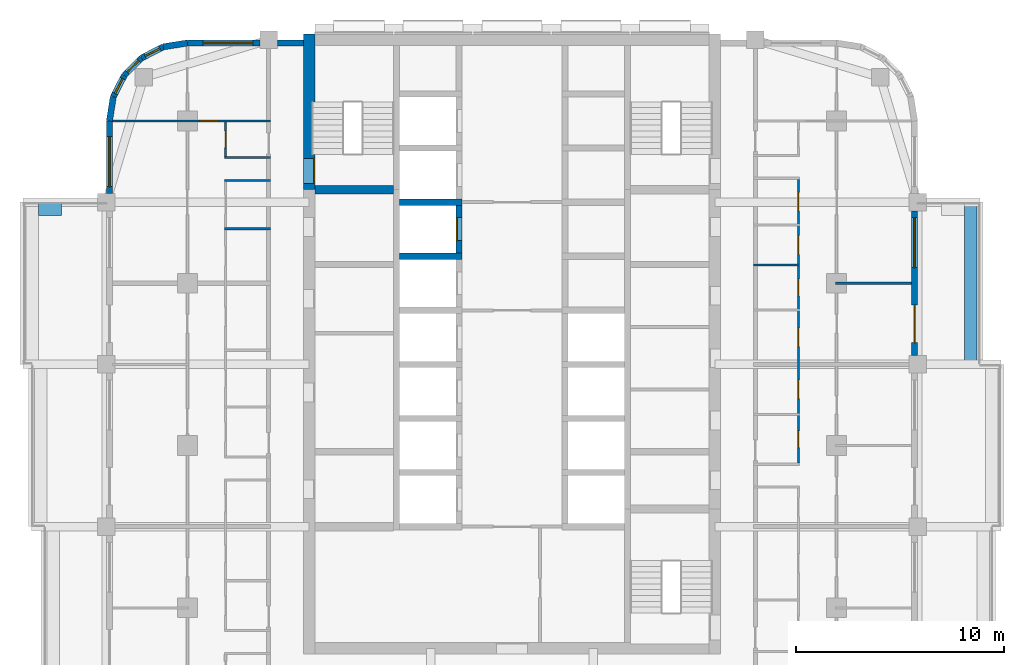
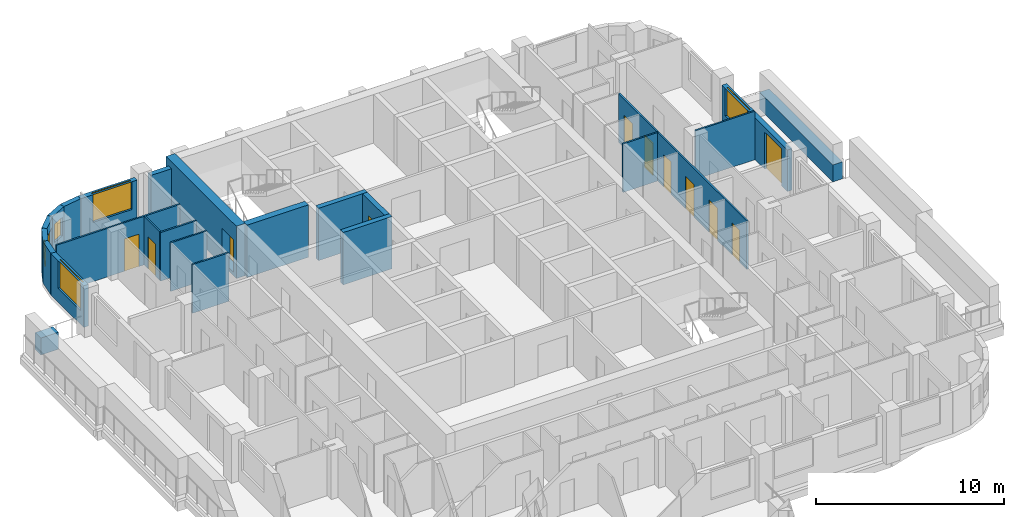
# One storey, part 8 of 13: 24 walls, 11 doors, 6 windows, 17 openings.
"""IFC4 building model written with IfcOpenShell, lengths in metres."""

from ifc_helpers import new_model, si_unit, direction, frame, frame_2d, origin, place, context, subcontext, project, spatial, rectangle, extrude, material, layer, layer_set, type_object, element, fill, save


model = new_model("IFC4")

# Units and contexts
model_context = context("Model", 3, precision=1e-05, world=origin(), true_north=direction((0.0, 1.0)))
body_context = subcontext(model_context, "Body", "Model", "MODEL_VIEW")
ifc_project = project(units=[si_unit("LENGTHUNIT", "METRE"), si_unit("AREAUNIT", "SQUARE_METRE"), si_unit("VOLUMEUNIT", "CUBIC_METRE"), si_unit("PLANEANGLEUNIT", "RADIAN"), si_unit("MASSUNIT", "GRAM", prefix="KILO")], contexts=[model_context])

# Site, building, storey
site_placement = place(None, origin())
site = spatial("IfcSite", under=ifc_project, at=site_placement, CompositionType="ELEMENT")
building_placement = place(site_placement, origin())
building = spatial("IfcBuilding", under=site, at=building_placement, Name="Ludao Terraces", CompositionType="ELEMENT")
storey_placement = place(building_placement, frame((0.0, 0.0, 130.5)))
storey = spatial("IfcBuildingStorey", under=building, at=storey_placement, Name="L35", CompositionType="ELEMENT", Elevation=130.5)

# Wall, opening, door
ifc_material_1 = material(Name="Concrete C60", Category="concrete")
ifc_layer_1 = layer(ifc_material_1, 0.550048828125)
ifc_layer_set_1 = layer_set([ifc_layer_1], Name="Core wall 550 C60")
wall_type_1 = type_object("IfcWallType", Name="Core wall 550 C60", PredefinedType="SOLIDWALL", material=ifc_layer_set_1)
wall_1_placement = place(storey_placement, frame((75.25, 77.300048828125, -0.25), z_axis=(0.0, 0.0, 1.0), x_axis=(0.0, 1.0, 0.0)))
wall_1 = element("IfcWall", 1, at=wall_1_placement, inside=storey, type_object=wall_type_1, Name="Core wall L35 outer-W-S1", PredefinedType="SOLIDWALL", context=body_context, shape_type="SweptSolid", body=[
    extrude(rectangle(XDim=7.474853515625, YDim=0.550048828125, at=frame_2d((3.7373046875, 0.0))), origin(), (0.0, 0.0, 1.0), 3.39990234375),
])
opening_1_placement = place(wall_1_placement, frame((0.300048828125, 0.0, 0.25)))
opening_1 = element("IfcOpeningElement", 2, at=opening_1_placement, cuts=wall_1, Name="Opening R11-082", PredefinedType="OPENING", context=body_context, shape_type="SweptSolid", body=[
    extrude(rectangle(XDim=1.199951171875, YDim=2.10009765625, at=frame_2d((0.60009765625, 1.050048828125))), frame((0.0, 0.28515625, 0.0), z_axis=(0.0, -1.0, 0.0), x_axis=(1.0, 0.0, 0.0)), (0.0, 0.0, 1.0), 0.570068359375),
])
ifc_material_2 = material(Name="Steel Q235", Category="steel")
door_type_1 = type_object("IfcDoorType", Name="INT Stair door 1200", OperationType="DOUBLE_DOOR_SINGLE_SWING", PredefinedType="DOOR", material=ifc_material_2)
door_1_placement = place(opening_1_placement, origin())
door_1 = element("IfcDoor", 3, at=door_1_placement, inside=storey, type_object=door_type_1, Name="DOOR 082", OperationType="DOUBLE_DOOR_SINGLE_SWING", OverallHeight=2.10009765625, OverallWidth=1.199951171875, PredefinedType="DOOR", context=body_context, shape_type="SweptSolid", body=[
    extrude(rectangle(XDim=1.199951171875, YDim=2.10009765625, at=frame_2d((0.60009765625, 1.050048828125))), frame((0.0, -0.2099609375, 0.0), z_axis=(0.0, -1.0, 0.0), x_axis=(1.0, 0.0, 0.0)), (0.0, 0.0, 1.0), 0.050048828125),
])
fill(opening_1, door_1)

# Walls
ifc_material_3 = material(Name="Concrete C40", Category="concrete")
ifc_layer_2 = layer(ifc_material_3, 0.60009765625)
ifc_layer_set_2 = layer_set([ifc_layer_2], Name="ENV Planter trough 600")
wall_type_2 = type_object("IfcWallType", Name="ENV Planter trough 600", PredefinedType="USERDEFINED", material=ifc_layer_set_2)
wall_2_placement = place(storey_placement, frame((107.050048828125, 68.89990234375, 0.0), z_axis=(0.0, 0.0, 1.0), x_axis=(0.0, 1.0, 0.0)))
element("IfcWall", 4, at=wall_2_placement, inside=storey, type_object=wall_type_2, Name="PL-L35-E3", ObjectType="PLANTER", PredefinedType="USERDEFINED", context=body_context, shape_type="SweptSolid", body=[
    extrude(rectangle(XDim=7.800048828125, YDim=0.60009765625, at=frame_2d((3.89990234375, 0.0))), origin(), (0.0, 0.0, 1.0), 1.10009765625),
])
wall_3_placement = place(storey_placement, frame((62.25, 76.35009765625, 0.0), z_axis=(0.0, 0.0, 1.0), x_axis=(1.0, 0.0, 0.0)))
element("IfcWall", 5, at=wall_3_placement, inside=storey, type_object=wall_type_2, Name="PL-L35-W3-SB", ObjectType="PLANTER", PredefinedType="USERDEFINED", context=body_context, shape_type="SweptSolid", body=[
    extrude(rectangle(XDim=1.10009765625, YDim=0.60009765625, at=frame_2d((0.550048828125, 0.0))), origin(), (0.0, 0.0, 1.0), 1.10009765625),
])

# Wall, openings, door, window
ifc_material_4 = material(Name="Granite cladding", Category="masonry")
ifc_layer_3 = layer(ifc_material_4, 0.0400390625, Category="stone")
ifc_material_5 = material(Name="Mineral wool")
ifc_layer_4 = layer(ifc_material_5, 0.06005859375)
ifc_layer_5 = layer(ifc_material_3, 0.199951171875, Category="concrete")
ifc_layer_set_3 = layer_set([ifc_layer_3, ifc_layer_4, ifc_layer_5], Name="ENV Stone-clad wall 300")
wall_type_3 = type_object("IfcWallType", Name="ENV Stone-clad wall 300", PredefinedType="SOLIDWALL", material=ifc_layer_set_3)
wall_4_placement = place(storey_placement, frame((104.35009765625, 69.324951171875, 0.0), z_axis=(0.0, 0.0, 1.0), x_axis=(0.0, 1.0, 0.0)))
wall_4 = element("IfcWall", 6, at=wall_4_placement, inside=storey, type_object=wall_type_3, Name="EW-L35-E4", PredefinedType="SOLIDWALL", context=body_context, shape_type="SweptSolid", body=[
    extrude(rectangle(XDim=6.949951171875, YDim=0.300048828125, at=frame_2d((3.47509765625, 0.0))), origin(), (0.0, 0.0, 1.0), 2.699951171875),
])
opening_2_placement = place(wall_4_placement, frame((0.625, 0.0, 0.0)))
opening_2 = element("IfcOpeningElement", 7, at=opening_2_placement, cuts=wall_4, Name="Opening BD", PredefinedType="OPENING", context=body_context, shape_type="SweptSolid", body=[
    extrude(rectangle(XDim=1.800048828125, YDim=2.39990234375, at=frame_2d((0.89990234375, 1.199951171875))), frame((0.0, 0.16015625, 0.0), z_axis=(0.0, -1.0, 0.0), x_axis=(1.0, 0.0, 0.0)), (0.0, 0.0, 1.0), 0.320068359375),
])
opening_3_placement = place(wall_4_placement, frame((4.22509765625, 0.0, 0.89990234375)))
opening_3 = element("IfcOpeningElement", 8, at=opening_3_placement, cuts=wall_4, Name="Opening W1", PredefinedType="OPENING", context=body_context, shape_type="SweptSolid", body=[
    extrude(rectangle(XDim=2.39990234375, YDim=1.800048828125, at=frame_2d((1.199951171875, 0.89990234375))), frame((0.0, 0.16015625, 0.0), z_axis=(0.0, -1.0, 0.0), x_axis=(1.0, 0.0, 0.0)), (0.0, 0.0, 1.0), 0.320068359375),
])
ifc_material_6 = material(Name="Aluminium glazed door", Category="aluminium")
ifc_layer_6 = layer(ifc_material_6, 0.06005859375)
ifc_layer_set_4 = layer_set([ifc_layer_6], Name="ENV Balcony door BD 1800x2400")
door_type_2 = type_object("IfcDoorType", Name="ENV Balcony door BD 1800x2400", OperationType="DOUBLE_DOOR_SINGLE_SWING", PredefinedType="DOOR", material=ifc_layer_set_4)
door_2_placement = place(opening_2_placement, origin())
door_2 = element("IfcDoor", 9, at=door_2_placement, inside=storey, type_object=door_type_2, Name="BD-L35-E4-1", OperationType="DOUBLE_DOOR_SINGLE_SWING", OverallHeight=2.39990234375, OverallWidth=1.800048828125, PredefinedType="DOOR", context=body_context, shape_type="SweptSolid", body=[
    extrude(rectangle(XDim=1.800048828125, YDim=2.39990234375, at=frame_2d((0.89990234375, 1.199951171875))), frame((0.0, 0.02490234375, 0.0), z_axis=(0.0, -1.0, 0.0), x_axis=(1.0, 0.0, 0.0)), (0.0, 0.0, 1.0), 0.050048828125),
])
fill(opening_2, door_2)
ifc_material_7 = material(Name="Clear glass in aluminium frame", Category="aluminium")
ifc_layer_7 = layer(ifc_material_7, 0.06005859375)
ifc_layer_set_5 = layer_set([ifc_layer_7], Name="ENV Window W1 2400x1800")
window_type_1 = type_object("IfcWindowType", Name="ENV Window W1 2400x1800", PartitioningType="DOUBLE_PANEL_VERTICAL", PredefinedType="WINDOW", material=ifc_layer_set_5)
window_1_placement = place(opening_3_placement, origin())
window_1 = element("IfcWindow", 10, at=window_1_placement, inside=storey, type_object=window_type_1, Name="W-L35-E4-2", OverallHeight=1.800048828125, OverallWidth=2.39990234375, PartitioningType="DOUBLE_PANEL_VERTICAL", PredefinedType="WINDOW", context=body_context, shape_type="SweptSolid", body=[
    extrude(rectangle(XDim=2.39990234375, YDim=1.800048828125, at=frame_2d((1.199951171875, 0.89990234375))), frame((0.0, 0.030029296875, 0.0), z_axis=(0.0, -1.0, 0.0), x_axis=(1.0, 0.0, 0.0)), (0.0, 0.0, 1.0), 0.06005859375),
])
fill(opening_3, window_1)

# Wall, opening, window
wall_5_placement = place(storey_placement, frame((69.39990234375, 84.35009765625, 0.0), z_axis=(0.0, 0.0, 1.0), x_axis=(1.0, 0.0, 0.0)))
wall_5 = element("IfcWall", 11, at=wall_5_placement, inside=storey, type_object=wall_type_3, Name="EW-L35-N1", PredefinedType="SOLIDWALL", context=body_context, shape_type="SweptSolid", body=[
    extrude(rectangle(XDim=3.47509765625, YDim=0.300048828125, at=frame_2d((1.737548828125, 0.0))), origin(), (0.0, 0.0, 1.0), 2.699951171875),
])
opening_4_placement = place(wall_5_placement, frame((0.75, 0.0, 0.89990234375)))
opening_4 = element("IfcOpeningElement", 12, at=opening_4_placement, cuts=wall_5, Name="Opening W1", PredefinedType="OPENING", context=body_context, shape_type="SweptSolid", body=[
    extrude(rectangle(XDim=2.39990234375, YDim=1.800048828125, at=frame_2d((1.199951171875, 0.89990234375))), frame((0.0, 0.16015625, 0.0), z_axis=(0.0, -1.0, 0.0), x_axis=(1.0, 0.0, 0.0)), (0.0, 0.0, 1.0), 0.320068359375),
])
window_2_placement = place(opening_4_placement, origin())
window_2 = element("IfcWindow", 13, at=window_2_placement, inside=storey, type_object=window_type_1, Name="W-L35-N1-1", OverallHeight=1.800048828125, OverallWidth=2.39990234375, PartitioningType="DOUBLE_PANEL_VERTICAL", PredefinedType="WINDOW", context=body_context, shape_type="SweptSolid", body=[
    extrude(rectangle(XDim=2.39990234375, YDim=1.800048828125, at=frame_2d((1.199951171875, 0.89990234375))), frame((0.0, 0.030029296875, 0.0), z_axis=(0.0, -1.0, 0.0), x_axis=(1.0, 0.0, 0.0)), (0.0, 0.0, 1.0), 0.06005859375),
])
fill(opening_4, window_2)

# Wall
wall_6_placement = place(storey_placement, frame((73.72509765625, 84.35009765625, 0.0), z_axis=(0.0, 0.0, 1.0), x_axis=(1.0, 0.0, 0.0)))
element("IfcWall", 14, at=wall_6_placement, inside=storey, type_object=wall_type_3, Name="EW-L35-N2", PredefinedType="SOLIDWALL", context=body_context, shape_type="SweptSolid", body=[
    extrude(rectangle(XDim=1.25, YDim=0.300048828125, at=frame_2d((0.625, 0.0))), origin(), (0.0, 0.0, 1.0), 2.699951171875),
])

# Wall, opening, window
wall_7_placement = place(storey_placement, frame((65.64990234375, 77.125, 0.0), z_axis=(0.0, 0.0, 1.0), x_axis=(0.0, 1.0, 0.0)))
wall_7 = element("IfcWall", 15, at=wall_7_placement, inside=storey, type_object=wall_type_3, Name="EW-L35-W5", PredefinedType="SOLIDWALL", context=body_context, shape_type="SweptSolid", body=[
    extrude(rectangle(XDim=3.47509765625, YDim=0.300048828125, at=frame_2d((1.737548828125, 0.0))), origin(), (0.0, 0.0, 1.0), 2.699951171875),
])
opening_5_placement = place(wall_7_placement, frame((0.324951171875, 0.0, 0.89990234375)))
opening_5 = element("IfcOpeningElement", 16, at=opening_5_placement, cuts=wall_7, Name="Opening W1", PredefinedType="OPENING", context=body_context, shape_type="SweptSolid", body=[
    extrude(rectangle(XDim=2.39990234375, YDim=1.800048828125, at=frame_2d((1.199951171875, 0.89990234375))), frame((0.0, 0.16015625, 0.0), z_axis=(0.0, -1.0, 0.0), x_axis=(1.0, 0.0, 0.0)), (0.0, 0.0, 1.0), 0.320068359375),
])
window_3_placement = place(opening_5_placement, origin())
window_3 = element("IfcWindow", 17, at=window_3_placement, inside=storey, type_object=window_type_1, Name="W-L35-W5-1", OverallHeight=1.800048828125, OverallWidth=2.39990234375, PartitioningType="DOUBLE_PANEL_VERTICAL", PredefinedType="WINDOW", context=body_context, shape_type="SweptSolid", body=[
    extrude(rectangle(XDim=2.39990234375, YDim=1.800048828125, at=frame_2d((1.199951171875, 0.89990234375))), frame((0.0, 0.030029296875, 0.0), z_axis=(0.0, -1.0, 0.0), x_axis=(1.0, 0.0, 0.0)), (0.0, 0.0, 1.0), 0.06005859375),
])
fill(opening_5, window_3)

# Wall
wall_8_placement = place(storey_placement, frame((69.39990234375, 84.35009765625, 0.0), z_axis=(0.0, 0.0, 1.0), x_axis=(-0.987678452879, -0.156496880861, 0.0)))
element("IfcWall", 18, at=wall_8_placement, inside=storey, type_object=wall_type_3, Name="EW-L35-NW1", PredefinedType="SOLIDWALL", context=body_context, shape_type="SweptSolid", body=[
    extrude(rectangle(XDim=1.173095703125, YDim=0.300048828125, at=frame_2d((0.58642578125, 0.0))), origin(), (0.0, 0.0, 1.0), 2.699951171875),
])

# Wall, opening, window
wall_9_placement = place(storey_placement, frame((68.2412109375, 84.16650390625, 0.0), z_axis=(0.0, 0.0, 1.0), x_axis=(-0.890988677504, -0.454025524128, 0.0)))
wall_9 = element("IfcWall", 19, at=wall_9_placement, inside=storey, type_object=wall_type_3, Name="EW-L35-NW2", PredefinedType="SOLIDWALL", context=body_context, shape_type="SweptSolid", body=[
    extrude(rectangle(XDim=1.17333984375, YDim=0.300048828125, at=frame_2d((0.586669921875, 0.0))), origin(), (0.0, 0.0, 1.0), 2.699951171875),
])
opening_6_placement = place(wall_9_placement, frame((0.1865234375, 0.0, 0.89990234375)))
opening_6 = element("IfcOpeningElement", 20, at=opening_6_placement, cuts=wall_9, Name="Opening W3", PredefinedType="OPENING", context=body_context, shape_type="SweptSolid", body=[
    extrude(rectangle(XDim=0.800048828125, YDim=1.199951171875, at=frame_2d((0.39990234375, 0.60009765625))), frame((0.0, 0.16015625, 0.0), z_axis=(0.0, -1.0, 0.0), x_axis=(1.0, 0.0, 0.0)), (0.0, 0.0, 1.0), 0.320068359375),
])
ifc_layer_8 = layer(ifc_material_7, 0.06005859375)
ifc_layer_set_6 = layer_set([ifc_layer_8], Name="ENV Window W3 800x1200")
window_type_2 = type_object("IfcWindowType", Name="ENV Window W3 800x1200", PartitioningType="SINGLE_PANEL", PredefinedType="WINDOW", material=ifc_layer_set_6)
window_4_placement = place(opening_6_placement, origin())
window_4 = element("IfcWindow", 21, at=window_4_placement, inside=storey, type_object=window_type_2, Name="W-L35-NW2", OverallHeight=1.199951171875, OverallWidth=0.800048828125, PartitioningType="SINGLE_PANEL", PredefinedType="WINDOW", context=body_context, shape_type="SweptSolid", body=[
    extrude(rectangle(XDim=0.800048828125, YDim=1.199951171875, at=frame_2d((0.39990234375, 0.60009765625))), frame((0.0, 0.030029296875, 0.0), z_axis=(0.0, -1.0, 0.0), x_axis=(1.0, 0.0, 0.0)), (0.0, 0.0, 1.0), 0.06005859375),
])
fill(opening_6, window_4)

wall_10_placement = place(storey_placement, frame((67.19580078125, 83.6337890625, 0.0), z_axis=(0.0, 0.0, 1.0), x_axis=(-0.707106781187, -0.707106781187, 0.0)))
wall_10 = element("IfcWall", 22, at=wall_10_placement, inside=storey, type_object=wall_type_3, Name="EW-L35-NW3", PredefinedType="SOLIDWALL", context=body_context, shape_type="SweptSolid", body=[
    extrude(rectangle(XDim=1.173095703125, YDim=0.300048828125, at=frame_2d((0.58642578125, 0.0))), origin(), (0.0, 0.0, 1.0), 2.699951171875),
])
opening_7_placement = place(wall_10_placement, frame((0.1865234375, 0.0, 0.89990234375)))
opening_7 = element("IfcOpeningElement", 23, at=opening_7_placement, cuts=wall_10, Name="Opening W3", PredefinedType="OPENING", context=body_context, shape_type="SweptSolid", body=[
    extrude(rectangle(XDim=0.800048828125, YDim=1.199951171875, at=frame_2d((0.39990234375, 0.60009765625))), frame((0.0, 0.16015625, 0.0), z_axis=(0.0, -1.0, 0.0), x_axis=(1.0, 0.0, 0.0)), (0.0, 0.0, 1.0), 0.320068359375),
])
window_5_placement = place(opening_7_placement, origin())
window_5 = element("IfcWindow", 24, at=window_5_placement, inside=storey, type_object=window_type_2, Name="W-L35-NW3", OverallHeight=1.199951171875, OverallWidth=0.800048828125, PartitioningType="SINGLE_PANEL", PredefinedType="WINDOW", context=body_context, shape_type="SweptSolid", body=[
    extrude(rectangle(XDim=0.800048828125, YDim=1.199951171875, at=frame_2d((0.39990234375, 0.60009765625))), frame((0.0, 0.030029296875, 0.0), z_axis=(0.0, -1.0, 0.0), x_axis=(1.0, 0.0, 0.0)), (0.0, 0.0, 1.0), 0.06005859375),
])
fill(opening_7, window_5)

wall_11_placement = place(storey_placement, frame((66.3662109375, 82.80419921875, 0.0), z_axis=(0.0, 0.0, 1.0), x_axis=(-0.454025524128, -0.890988677504, 0.0)))
wall_11 = element("IfcWall", 25, at=wall_11_placement, inside=storey, type_object=wall_type_3, Name="EW-L35-NW4", PredefinedType="SOLIDWALL", context=body_context, shape_type="SweptSolid", body=[
    extrude(rectangle(XDim=1.17333984375, YDim=0.300048828125, at=frame_2d((0.586669921875, 0.0))), origin(), (0.0, 0.0, 1.0), 2.699951171875),
])
opening_8_placement = place(wall_11_placement, frame((0.1865234375, 0.0, 0.89990234375)))
opening_8 = element("IfcOpeningElement", 26, at=opening_8_placement, cuts=wall_11, Name="Opening W3", PredefinedType="OPENING", context=body_context, shape_type="SweptSolid", body=[
    extrude(rectangle(XDim=0.800048828125, YDim=1.199951171875, at=frame_2d((0.39990234375, 0.60009765625))), frame((0.0, 0.16015625, 0.0), z_axis=(0.0, -1.0, 0.0), x_axis=(1.0, 0.0, 0.0)), (0.0, 0.0, 1.0), 0.320068359375),
])
window_6_placement = place(opening_8_placement, origin())
window_6 = element("IfcWindow", 27, at=window_6_placement, inside=storey, type_object=window_type_2, Name="W-L35-NW4", OverallHeight=1.199951171875, OverallWidth=0.800048828125, PartitioningType="SINGLE_PANEL", PredefinedType="WINDOW", context=body_context, shape_type="SweptSolid", body=[
    extrude(rectangle(XDim=0.800048828125, YDim=1.199951171875, at=frame_2d((0.39990234375, 0.60009765625))), frame((0.0, 0.030029296875, 0.0), z_axis=(0.0, -1.0, 0.0), x_axis=(1.0, 0.0, 0.0)), (0.0, 0.0, 1.0), 0.06005859375),
])
fill(opening_8, window_6)

# Walls
wall_12_placement = place(storey_placement, frame((65.83349609375, 81.7587890625, 0.0), z_axis=(0.0, 0.0, 1.0), x_axis=(-0.156496880861, -0.987678452879, 0.0)))
element("IfcWall", 28, at=wall_12_placement, inside=storey, type_object=wall_type_3, Name="EW-L35-NW5", PredefinedType="SOLIDWALL", context=body_context, shape_type="SweptSolid", body=[
    extrude(rectangle(XDim=1.173095703125, YDim=0.300048828125, at=frame_2d((0.58642578125, 0.0))), origin(), (0.0, 0.0, 1.0), 2.699951171875),
])
ifc_material_8 = material(Name="Gypsum plasterboard", Category="gypsum")
ifc_layer_9 = layer(ifc_material_8, 0.012451171875, Category="gypsum")
ifc_layer_10 = layer(ifc_material_5, 0.06005859375, Name="insulation")
ifc_layer_11 = layer(ifc_material_2, 0.014892578125, Name="stud")
ifc_layer_12 = layer(ifc_material_8, 0.012451171875, Category="gypsum")
ifc_layer_set_7 = layer_set([ifc_layer_9, ifc_layer_10, ifc_layer_11, ifc_layer_12], Name="INT Partition 100")
wall_type_4 = type_object("IfcWallType", Name="INT Partition 100", PredefinedType="PARTITIONING", material=ifc_layer_set_7)
wall_13_placement = place(storey_placement, frame((100.550048828125, 72.800048828125, 0.0), z_axis=(0.0, 0.0, 1.0), x_axis=(1.0, 0.0, 0.0)))
element("IfcWall", 29, at=wall_13_placement, inside=storey, type_object=wall_type_4, Name="PW-L35-PW036", PredefinedType="PARTITIONING", context=body_context, shape_type="SweptSolid", body=[
    extrude(rectangle(XDim=3.650146484375, YDim=0.10009765625, at=frame_2d((1.8251953125, 0.0))), origin(), (0.0, 0.0, 1.0), 3.14990234375),
])
for number, where, z_axis, x_axis, name in (
    (30, (96.60009765625, 73.669921875, 0.0), (0.0, 0.0, 1.0), (1.0, 0.0, 0.0), "PW-L35-PW037"),
    (31, (71.18017578125, 75.419921875, 0.0), (0.0, 0.0, 1.0), (1.0, 0.0, 0.0), "PW-L35-PW038"),
    (32, (71.18017578125, 77.75, 0.0), (0.0, 0.0, 1.0), (1.0, 0.0, 0.0), "PW-L35-PW041"),
    (33, (71.18017578125, 78.85009765625, 0.0), (0.0, 0.0, 1.0), (1.0, 0.0, 0.0), "PW-L35-PW043"),
):
    element("IfcWall", number, at=place(storey_placement, frame(where, z_axis=z_axis, x_axis=x_axis)), inside=storey, type_object=wall_type_4, Name=name, PredefinedType="PARTITIONING", context=body_context, shape_type="SweptSolid", body=[
        extrude(rectangle(XDim=2.219970703125, YDim=0.10009765625, at=frame_2d((1.10986328125, 0.0))), origin(), (0.0, 0.0, 1.0), 3.14990234375),
    ])

# Wall, opening, door
wall_14_placement = place(storey_placement, frame((65.800048828125, 80.60009765625, 0.0), z_axis=(0.0, 0.0, 1.0), x_axis=(1.0, 0.0, 0.0)))
wall_14 = element("IfcWall", 34, at=wall_14_placement, inside=storey, type_object=wall_type_4, Name="PW-L35-PW045", PredefinedType="PARTITIONING", context=body_context, shape_type="SweptSolid", body=[
    extrude(rectangle(XDim=7.60009765625, YDim=0.10009765625, at=frame_2d((3.800048828125, 0.0))), origin(), (0.0, 0.0, 1.0), 3.14990234375),
])
opening_9_placement = place(wall_14_placement, frame((4.18994140625, 0.0, 0.0)))
opening_9 = element("IfcOpeningElement", 35, at=opening_9_placement, cuts=wall_14, Name="Opening R11-088", PredefinedType="OPENING", context=body_context, shape_type="SweptSolid", body=[
    extrude(rectangle(XDim=0.89990234375, YDim=2.10009765625, at=frame_2d((0.449951171875, 1.050048828125))), frame((0.0, 0.06005859375, 0.0), z_axis=(0.0, -1.0, 0.0), x_axis=(1.0, 0.0, 0.0)), (0.0, 0.0, 1.0), 0.1201171875),
])
ifc_material_9 = material(Name="Timber door leaf", Category="wood")
door_type_3 = type_object("IfcDoorType", Name="INT Room door 900", OperationType="SINGLE_SWING_LEFT", PredefinedType="DOOR", material=ifc_material_9)
door_3_placement = place(opening_9_placement, origin())
door_3 = element("IfcDoor", 36, at=door_3_placement, inside=storey, type_object=door_type_3, Name="DOOR 088", OperationType="SINGLE_SWING_LEFT", OverallHeight=2.10009765625, OverallWidth=0.89990234375, PredefinedType="DOOR", context=body_context, shape_type="SweptSolid", body=[
    extrude(rectangle(XDim=0.89990234375, YDim=2.10009765625, at=frame_2d((0.449951171875, 1.050048828125))), frame((0.0, 0.02490234375, 0.0), z_axis=(0.0, -1.0, 0.0), x_axis=(1.0, 0.0, 0.0)), (0.0, 0.0, 1.0), 0.050048828125),
])
fill(opening_9, door_3)

wall_15_placement = place(storey_placement, frame((71.22998046875, 78.900146484375, 0.0), z_axis=(0.0, 0.0, 1.0), x_axis=(0.0, 1.0, 0.0)))
wall_15 = element("IfcWall", 37, at=wall_15_placement, inside=storey, type_object=wall_type_4, Name="PW-L35-PW051", PredefinedType="PARTITIONING", context=body_context, shape_type="SweptSolid", body=[
    extrude(rectangle(XDim=1.64990234375, YDim=0.10009765625, at=frame_2d((0.824951171875, 0.0))), origin(), (0.0, 0.0, 1.0), 3.14990234375),
])
opening_10_placement = place(wall_15_placement, frame((0.425048828125, 0.0, 0.0)))
opening_10 = element("IfcOpeningElement", 38, at=opening_10_placement, cuts=wall_15, Name="Opening R11-086", PredefinedType="OPENING", context=body_context, shape_type="SweptSolid", body=[
    extrude(rectangle(XDim=0.800048828125, YDim=2.10009765625, at=frame_2d((0.39990234375, 1.050048828125))), frame((0.0, 0.06005859375, 0.0), z_axis=(0.0, -1.0, 0.0), x_axis=(1.0, 0.0, 0.0)), (0.0, 0.0, 1.0), 0.1201171875),
])
door_type_4 = type_object("IfcDoorType", Name="INT Store door 800", OperationType="SINGLE_SWING_LEFT", PredefinedType="DOOR", material=ifc_material_9)
door_4_placement = place(opening_10_placement, origin())
door_4 = element("IfcDoor", 39, at=door_4_placement, inside=storey, type_object=door_type_4, Name="DOOR 086", OperationType="SINGLE_SWING_LEFT", OverallHeight=2.10009765625, OverallWidth=0.800048828125, PredefinedType="DOOR", context=body_context, shape_type="SweptSolid", body=[
    extrude(rectangle(XDim=0.800048828125, YDim=2.10009765625, at=frame_2d((0.39990234375, 1.050048828125))), frame((0.0, 0.02490234375, 0.0), z_axis=(0.0, -1.0, 0.0), x_axis=(1.0, 0.0, 0.0)), (0.0, 0.0, 1.0), 0.050048828125),
])
fill(opening_10, door_4)

# Wall, openings, doors
wall_16_placement = place(storey_placement, frame((98.77001953125, 64.150146484375, 0.0), z_axis=(0.0, 0.0, 1.0), x_axis=(0.0, 1.0, 0.0)))
wall_16 = element("IfcWall", 40, at=wall_16_placement, inside=storey, type_object=wall_type_4, Name="PW-L35-PW073", PredefinedType="PARTITIONING", context=body_context, shape_type="SweptSolid", body=[
    extrude(rectangle(XDim=13.64990234375, YDim=0.10009765625, at=frame_2d((6.824951171875, 0.0))), origin(), (0.0, 0.0, 1.0), 3.14990234375),
])
opening_11_placement = place(wall_16_placement, frame((0.75, 0.0, 0.0)))
opening_11 = element("IfcOpeningElement", 41, at=opening_11_placement, cuts=wall_16, Name="Opening R11-051", PredefinedType="OPENING", context=body_context, shape_type="SweptSolid", body=[
    extrude(rectangle(XDim=0.800048828125, YDim=2.10009765625, at=frame_2d((0.39990234375, 1.050048828125))), frame((0.0, 0.06005859375, 0.0), z_axis=(0.0, -1.0, 0.0), x_axis=(1.0, 0.0, 0.0)), (0.0, 0.0, 1.0), 0.1201171875),
])
opening_12_placement = place(wall_16_placement, frame((3.10009765625, 0.0, 0.0)))
opening_12 = element("IfcOpeningElement", 42, at=opening_12_placement, cuts=wall_16, Name="Opening R11-058", PredefinedType="OPENING", context=body_context, shape_type="SweptSolid", body=[
    extrude(rectangle(XDim=0.89990234375, YDim=2.10009765625, at=frame_2d((0.449951171875, 1.050048828125))), frame((0.0, 0.06005859375, 0.0), z_axis=(0.0, -1.0, 0.0), x_axis=(1.0, 0.0, 0.0)), (0.0, 0.0, 1.0), 0.1201171875),
])
opening_13_placement = place(wall_16_placement, frame((5.610107421875, 0.0, 0.0)))
opening_13 = element("IfcOpeningElement", 43, at=opening_13_placement, cuts=wall_16, Name="Opening R11-062", PredefinedType="OPENING", context=body_context, shape_type="SweptSolid", body=[
    extrude(rectangle(XDim=0.89990234375, YDim=2.10009765625, at=frame_2d((0.449951171875, 1.050048828125))), frame((0.0, 0.06005859375, 0.0), z_axis=(0.0, -1.0, 0.0), x_axis=(1.0, 0.0, 0.0)), (0.0, 0.0, 1.0), 0.1201171875),
])
opening_14_placement = place(wall_16_placement, frame((8.044921875, 0.0, 0.0)))
opening_14 = element("IfcOpeningElement", 44, at=opening_14_placement, cuts=wall_16, Name="Opening R11-069", PredefinedType="OPENING", context=body_context, shape_type="SweptSolid", body=[
    extrude(rectangle(XDim=0.800048828125, YDim=2.10009765625, at=frame_2d((0.39990234375, 1.050048828125))), frame((0.0, 0.06005859375, 0.0), z_axis=(0.0, -1.0, 0.0), x_axis=(1.0, 0.0, 0.0)), (0.0, 0.0, 1.0), 0.1201171875),
])
opening_15_placement = place(wall_16_placement, frame((10.034912109375, 0.0, 0.0)))
opening_15 = element("IfcOpeningElement", 45, at=opening_15_placement, cuts=wall_16, Name="Opening R11-072", PredefinedType="OPENING", context=body_context, shape_type="SweptSolid", body=[
    extrude(rectangle(XDim=0.89990234375, YDim=2.10009765625, at=frame_2d((0.449951171875, 1.050048828125))), frame((0.0, 0.06005859375, 0.0), z_axis=(0.0, -1.0, 0.0), x_axis=(1.0, 0.0, 0.0)), (0.0, 0.0, 1.0), 0.1201171875),
])
opening_16_placement = place(wall_16_placement, frame((12.125, 0.0, 0.0)))
opening_16 = element("IfcOpeningElement", 46, at=opening_16_placement, cuts=wall_16, Name="Opening R11-080", PredefinedType="OPENING", context=body_context, shape_type="SweptSolid", body=[
    extrude(rectangle(XDim=0.89990234375, YDim=2.10009765625, at=frame_2d((0.449951171875, 1.050048828125))), frame((0.0, 0.06005859375, 0.0), z_axis=(0.0, -1.0, 0.0), x_axis=(1.0, 0.0, 0.0)), (0.0, 0.0, 1.0), 0.1201171875),
])
door_type_5 = type_object("IfcDoorType", Name="INT Bathroom door 900", OperationType="SINGLE_SWING_LEFT", PredefinedType="DOOR", material=ifc_material_9)
door_5_placement = place(opening_12_placement, origin())
door_5 = element("IfcDoor", 47, at=door_5_placement, inside=storey, type_object=door_type_5, Name="DOOR 058", OperationType="SINGLE_SWING_RIGHT", OverallHeight=2.10009765625, OverallWidth=0.89990234375, PredefinedType="DOOR", context=body_context, shape_type="SweptSolid", body=[
    extrude(rectangle(XDim=0.89990234375, YDim=2.10009765625, at=frame_2d((0.449951171875, 1.050048828125))), frame((0.0, 0.02490234375, 0.0), z_axis=(0.0, -1.0, 0.0), x_axis=(1.0, 0.0, 0.0)), (0.0, 0.0, 1.0), 0.050048828125),
])
fill(opening_12, door_5)
door_6_placement = place(opening_15_placement, origin())
door_6 = element("IfcDoor", 48, at=door_6_placement, inside=storey, type_object=door_type_5, Name="DOOR 072", OperationType="SINGLE_SWING_LEFT", OverallHeight=2.10009765625, OverallWidth=0.89990234375, PredefinedType="DOOR", context=body_context, shape_type="SweptSolid", body=[
    extrude(rectangle(XDim=0.89990234375, YDim=2.10009765625, at=frame_2d((0.449951171875, 1.050048828125))), frame((0.0, 0.02490234375, 0.0), z_axis=(0.0, -1.0, 0.0), x_axis=(1.0, 0.0, 0.0)), (0.0, 0.0, 1.0), 0.050048828125),
])
fill(opening_15, door_6)
door_7_placement = place(opening_16_placement, origin())
door_7 = element("IfcDoor", 49, at=door_7_placement, inside=storey, type_object=door_type_5, Name="DOOR 080", OperationType="SINGLE_SWING_LEFT", OverallHeight=2.10009765625, OverallWidth=0.89990234375, PredefinedType="DOOR", context=body_context, shape_type="SweptSolid", body=[
    extrude(rectangle(XDim=0.89990234375, YDim=2.10009765625, at=frame_2d((0.449951171875, 1.050048828125))), frame((0.0, 0.02490234375, 0.0), z_axis=(0.0, -1.0, 0.0), x_axis=(1.0, 0.0, 0.0)), (0.0, 0.0, 1.0), 0.050048828125),
])
fill(opening_16, door_7)
door_8_placement = place(opening_13_placement, origin())
door_8 = element("IfcDoor", 50, at=door_8_placement, inside=storey, type_object=door_type_3, Name="DOOR 062", OperationType="SINGLE_SWING_LEFT", OverallHeight=2.10009765625, OverallWidth=0.89990234375, PredefinedType="DOOR", context=body_context, shape_type="SweptSolid", body=[
    extrude(rectangle(XDim=0.89990234375, YDim=2.10009765625, at=frame_2d((0.449951171875, 1.050048828125))), frame((0.0, 0.02490234375, 0.0), z_axis=(0.0, -1.0, 0.0), x_axis=(1.0, 0.0, 0.0)), (0.0, 0.0, 1.0), 0.050048828125),
])
fill(opening_13, door_8)
door_9_placement = place(opening_11_placement, origin())
door_9 = element("IfcDoor", 51, at=door_9_placement, inside=storey, type_object=door_type_4, Name="DOOR 051", OperationType="SINGLE_SWING_LEFT", OverallHeight=2.10009765625, OverallWidth=0.800048828125, PredefinedType="DOOR", context=body_context, shape_type="SweptSolid", body=[
    extrude(rectangle(XDim=0.800048828125, YDim=2.10009765625, at=frame_2d((0.39990234375, 1.050048828125))), frame((0.0, 0.02490234375, 0.0), z_axis=(0.0, -1.0, 0.0), x_axis=(1.0, 0.0, 0.0)), (0.0, 0.0, 1.0), 0.050048828125),
])
fill(opening_11, door_9)
door_10_placement = place(opening_14_placement, origin())
door_10 = element("IfcDoor", 52, at=door_10_placement, inside=storey, type_object=door_type_4, Name="DOOR 069", OperationType="SINGLE_SWING_LEFT", OverallHeight=2.10009765625, OverallWidth=0.800048828125, PredefinedType="DOOR", context=body_context, shape_type="SweptSolid", body=[
    extrude(rectangle(XDim=0.800048828125, YDim=2.10009765625, at=frame_2d((0.39990234375, 1.050048828125))), frame((0.0, 0.02490234375, 0.0), z_axis=(0.0, -1.0, 0.0), x_axis=(1.0, 0.0, 0.0)), (0.0, 0.0, 1.0), 0.050048828125),
])
fill(opening_14, door_10)

# Wall
ifc_material_10 = material(Name="Concrete C55", Category="concrete")
ifc_layer_13 = layer(ifc_material_10, 0.300048828125)
ifc_layer_set_8 = layer_set([ifc_layer_13], Name="Shaft wall 300 C55")
wall_type_5 = type_object("IfcWallType", Name="Shaft wall 300 C55", PredefinedType="SOLIDWALL", material=ifc_layer_set_8)
wall_17_placement = place(storey_placement, frame((79.60009765625, 74.10009765625, -0.25), z_axis=(0.0, 0.0, 1.0), x_axis=(1.0, 0.0, 0.0)))
element("IfcWall", 53, at=wall_17_placement, inside=storey, type_object=wall_type_5, Name="Core wall L35 div-W6", PredefinedType="SOLIDWALL", context=body_context, shape_type="SweptSolid", body=[
    extrude(rectangle(XDim=3.0, YDim=0.300048828125, at=frame_2d((1.5, 0.0))), origin(), (0.0, 0.0, 1.0), 3.39990234375),
])

# Wall, opening, door
wall_18_placement = place(storey_placement, frame((82.449951171875, 74.25, -0.25), z_axis=(0.0, 0.0, 1.0), x_axis=(0.0, 1.0, 0.0)))
wall_18 = element("IfcWall", 54, at=wall_18_placement, inside=storey, type_object=wall_type_5, Name="Core wall L35 front-W6", PredefinedType="SOLIDWALL", context=body_context, shape_type="SweptSolid", body=[
    extrude(rectangle(XDim=2.300048828125, YDim=0.300048828125, at=frame_2d((1.14990234375, 0.0))), origin(), (0.0, 0.0, 1.0), 3.39990234375),
])
opening_17_placement = place(wall_18_placement, frame((0.60009765625, 0.0, 0.25)))
opening_17 = element("IfcOpeningElement", 55, at=opening_17_placement, cuts=wall_18, Name="Opening LD-LA6", PredefinedType="OPENING", context=body_context, shape_type="SweptSolid", body=[
    extrude(rectangle(XDim=1.10009765625, YDim=2.10009765625, at=frame_2d((0.550048828125, 1.050048828125))), frame((0.0, 0.16015625, 0.0), z_axis=(0.0, -1.0, 0.0), x_axis=(1.0, 0.0, 0.0)), (0.0, 0.0, 1.0), 0.320068359375),
])
ifc_material_11 = material(Name="Stainless steel 304", Category="steel")
door_type_6 = type_object("IfcDoorType", Name="INT Lift landing door 1100", OperationType="SLIDING_TO_LEFT", PredefinedType="DOOR", material=ifc_material_11)
door_11_placement = place(opening_17_placement, origin())
door_11 = element("IfcDoor", 56, at=door_11_placement, inside=storey, type_object=door_type_6, Name="LANDING DOOR LA6 L35", OperationType="SLIDING_TO_LEFT", OverallHeight=2.10009765625, OverallWidth=1.10009765625, PredefinedType="DOOR", context=body_context, shape_type="SweptSolid", body=[
    extrude(rectangle(XDim=1.10009765625, YDim=2.10009765625, at=frame_2d((0.550048828125, 1.050048828125))), frame((0.0, 0.13525390625, 0.0), z_axis=(0.0, -1.0, 0.0), x_axis=(1.0, 0.0, 0.0)), (0.0, 0.0, 1.0), 0.050048828125),
])
fill(opening_17, door_11)

# Walls
wall_19_placement = place(storey_placement, frame((79.60009765625, 76.699951171875, -0.25), z_axis=(0.0, 0.0, 1.0), x_axis=(1.0, 0.0, 0.0)))
element("IfcWall", 57, at=wall_19_placement, inside=storey, type_object=wall_type_5, Name="Core wall L35 div-W7", PredefinedType="SOLIDWALL", context=body_context, shape_type="SweptSolid", body=[
    extrude(rectangle(XDim=3.0, YDim=0.300048828125, at=frame_2d((1.5, 0.0))), origin(), (0.0, 0.0, 1.0), 3.39990234375),
])
ifc_layer_14 = layer(ifc_material_10, 0.39990234375)
ifc_layer_set_9 = layer_set([ifc_layer_14], Name="Shaft wall 400 C55")
wall_type_6 = type_object("IfcWallType", Name="Shaft wall 400 C55", PredefinedType="SOLIDWALL", material=ifc_layer_set_9)
wall_20_placement = place(storey_placement, frame((75.52490234375, 77.300048828125, -0.25), z_axis=(0.0, 0.0, 1.0), x_axis=(1.0, 0.0, 0.0)))
element("IfcWall", 58, at=wall_20_placement, inside=storey, type_object=wall_type_6, Name="Core wall L35 stair-W", PredefinedType="SOLIDWALL", context=body_context, shape_type="SweptSolid", body=[
    extrude(rectangle(XDim=3.775146484375, YDim=0.39990234375, at=frame_2d((1.8876953125, 0.0))), origin(), (0.0, 0.0, 1.0), 3.39990234375),
])

save(model, "model.ifc")
